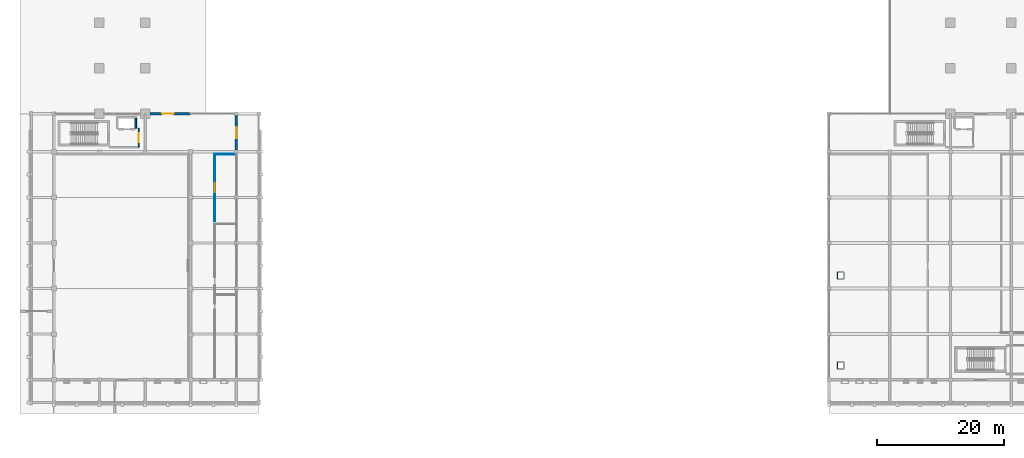
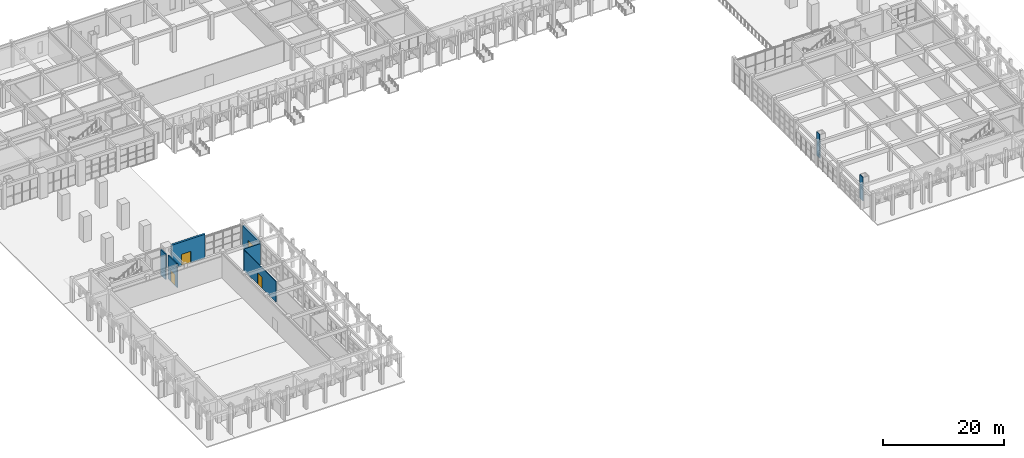
# One storey, part 36 of 72: 8 walls, 4 doors, 4 openings.
"""IFC4 building model written with IfcOpenShell, lengths in metres."""

from ifc_helpers import new_model, si_unit, direction, frame, frame_2d, origin, place, context, subcontext, project, spatial, rectangle, extrude, material, layer, layer_set, type_object, element, fill, save


model = new_model("IFC4")

# Units and contexts
model_context = context("Model", 3, precision=1e-05, world=origin(), true_north=direction((0.0, 1.0)))
body_context = subcontext(model_context, "Body", "Model", "MODEL_VIEW")
ifc_project = project(units=[si_unit("LENGTHUNIT", "METRE"), si_unit("AREAUNIT", "SQUARE_METRE"), si_unit("VOLUMEUNIT", "CUBIC_METRE"), si_unit("PLANEANGLEUNIT", "RADIAN"), si_unit("MASSUNIT", "GRAM", prefix="KILO")], contexts=[model_context])

# Site, building, storey
site_placement = place(None, origin())
site = spatial("IfcSite", under=ifc_project, at=site_placement, CompositionType="ELEMENT")
building_placement = place(site_placement, origin())
building = spatial("IfcBuilding", under=site, at=building_placement, Name="Nzembalo Square Collegiate School", CompositionType="ELEMENT")
storey_placement = place(building_placement, origin())
storey = spatial("IfcBuildingStorey", under=building, at=storey_placement, Name="L00", CompositionType="ELEMENT", Elevation=0.0)

# Wall
ifc_material_1 = material(Name="Concrete C35/45", Category="concrete")
ifc_layer_1 = layer(ifc_material_1, 0.25, Name="Concrete C35/45")
ifc_layer_set_1 = layer_set([ifc_layer_1], Name="Concrete C35/45")
wall_type_1 = type_object("IfcWallType", Name="SW05", PredefinedType="SHEAR", material=ifc_layer_set_1)
wall_1_placement = place(storey_placement, frame((21.324951171875, 48.10009765625, 0.0), z_axis=(0.0, 0.0, 1.0), x_axis=(0.0, 1.0, 0.0)))
element("IfcWall", 1, at=wall_1_placement, inside=storey, type_object=wall_type_1, Name="Lift LF1 shaft wall E L00", PredefinedType="SHEAR", context=body_context, shape_type="SweptSolid", body=[
    extrude(rectangle(XDim=1.599853515625, YDim=0.25, at=frame_2d((0.7998046875, 0.0))), origin(), (0.0, 0.0, 1.0), 5.10009765625),
])

# Wall, opening, door
ifc_material_2 = material(Name="Concrete C35/45", Category="concrete")
ifc_layer_2 = layer(ifc_material_2, 0.360107421875, Name="Concrete C35/45")
ifc_layer_set_2 = layer_set([ifc_layer_2], Name="Concrete C35/45")
wall_type_2 = type_object("IfcWallType", Name="W01", PredefinedType="SOLIDWALL", material=ifc_layer_set_2)
wall_2_placement = place(storey_placement, frame((23.552001953125, 50.39990234375, 0.0), z_axis=(0.0, 0.0, 1.0), x_axis=(1.0, 0.0, 0.0)))
wall_2 = element("IfcWall", 2, at=wall_2_placement, inside=storey, type_object=wall_type_2, Name="Exterior wall W01 L00", PredefinedType="SOLIDWALL", context=body_context, shape_type="SweptSolid", body=[
    extrude(rectangle(XDim=6.447998046875, YDim=0.360107421875, at=frame_2d((3.22412109375, 0.0))), origin(), (0.0, 0.0, 1.0), 4.7939453125),
])
opening_1_placement = place(wall_2_placement, frame((1.947998046875, 0.0, 0.0)))
opening_1 = element("IfcOpeningElement", 3, at=opening_1_placement, cuts=wall_2, Name="Opening E15", PredefinedType="OPENING", context=body_context, shape_type="SweptSolid", body=[
    extrude(rectangle(XDim=1.800048828125, YDim=2.300048828125, at=frame_2d((0.89990234375, 1.14990234375))), frame((0.0, 0.18994140625, 0.0), z_axis=(0.0, -1.0, 0.0), x_axis=(1.0, 0.0, 0.0)), (0.0, 0.0, 1.0), 0.380126953125),
])
ifc_material_3 = material(Name="Powder-coated steel and safety glass", Category="steel")
door_type_1 = type_object("IfcDoorType", Name="ED02", OperationType="DOUBLE_DOOR_SINGLE_SWING", PredefinedType="DOOR", material=ifc_material_3)
door_1_placement = place(opening_1_placement, origin())
door_1 = element("IfcDoor", 4, at=door_1_placement, inside=storey, type_object=door_type_1, Name="Exterior door E15", OperationType="DOUBLE_DOOR_SINGLE_SWING", OverallHeight=2.300048828125, OverallWidth=1.800048828125, PredefinedType="DOOR", context=body_context, shape_type="SweptSolid", body=[
    extrude(rectangle(XDim=1.800048828125, YDim=2.300048828125, at=frame_2d((0.89990234375, 1.14990234375))), frame((0.0, 0.02490234375, 0.0), z_axis=(0.0, -1.0, 0.0), x_axis=(1.0, 0.0, 0.0)), (0.0, 0.0, 1.0), 0.050048828125),
])
fill(opening_1, door_1)

ifc_material_4 = material(Name="Concrete C35/45", Category="concrete")
ifc_layer_3 = layer(ifc_material_4, 0.340087890625, Name="Concrete C35/45")
ifc_layer_set_3 = layer_set([ifc_layer_3], Name="Concrete C35/45")
wall_type_3 = type_object("IfcWallType", Name="W02", PredefinedType="SOLIDWALL", material=ifc_layer_set_3)
wall_3_placement = place(storey_placement, frame((37.199951171875, 44.701904296875, 0.0), z_axis=(0.0, 0.0, 1.0), x_axis=(0.0, 1.0, 0.0)))
wall_3 = element("IfcWall", 5, at=wall_3_placement, inside=storey, type_object=wall_type_3, Name="Exterior wall W02 L00", PredefinedType="SOLIDWALL", context=body_context, shape_type="SweptSolid", body=[
    extrude(rectangle(XDim=5.39599609375, YDim=0.340087890625, at=frame_2d((2.697998046875, 0.0))), origin(), (0.0, 0.0, 1.0), 4.134033203125),
])
opening_2_placement = place(wall_3_placement, frame((1.798095703125, 0.0, 0.0)))
opening_2 = element("IfcOpeningElement", 6, at=opening_2_placement, cuts=wall_3, Name="Opening E04", PredefinedType="OPENING", context=body_context, shape_type="SweptSolid", body=[
    extrude(rectangle(XDim=1.800048828125, YDim=2.300048828125, at=frame_2d((0.89990234375, 1.14990234375))), frame((0.0, 0.18017578125, 0.0), z_axis=(0.0, -1.0, 0.0), x_axis=(1.0, 0.0, 0.0)), (0.0, 0.0, 1.0), 0.360107421875),
])
door_2_placement = place(opening_2_placement, frame((1.800048828125, 0.0, 0.0), z_axis=(0.0, 0.0, 1.0), x_axis=(-1.0, 0.0, 0.0)))
door_2 = element("IfcDoor", 7, at=door_2_placement, inside=storey, type_object=door_type_1, Name="Exterior door E04", OperationType="DOUBLE_DOOR_SINGLE_SWING", OverallHeight=2.300048828125, OverallWidth=1.800048828125, PredefinedType="DOOR", context=body_context, shape_type="SweptSolid", body=[
    extrude(rectangle(XDim=1.800048828125, YDim=2.300048828125, at=frame_2d((0.89990234375, 1.14990234375))), frame((0.0, 0.02490234375, 0.0), z_axis=(0.0, -1.0, 0.0), x_axis=(1.0, 0.0, 0.0)), (0.0, 0.0, 1.0), 0.050048828125),
])
fill(opening_2, door_2)

ifc_material_5 = material(Name="Concrete blockwork C25/30", Category="masonry")
ifc_layer_4 = layer(ifc_material_5, 0.199951171875, Name="Concrete blockwork C25/30")
ifc_layer_set_4 = layer_set([ifc_layer_4], Name="Concrete blockwork C25/30")
wall_type_4 = type_object("IfcWallType", Name="W11", PredefinedType="PARTITIONING", material=ifc_layer_set_4)
wall_4_placement = place(storey_placement, frame((21.800048828125, 45.10009765625, 0.0), z_axis=(0.0, 0.0, 1.0), x_axis=(0.0, 1.0, 0.0)))
wall_4 = element("IfcWall", 8, at=wall_4_placement, inside=storey, type_object=wall_type_4, Name="Core C1 EI 60 lobby wall E L00", PredefinedType="PARTITIONING", context=body_context, shape_type="SweptSolid", body=[
    extrude(rectangle(XDim=3.0, YDim=0.199951171875, at=frame_2d((1.5, 0.0))), origin(), (0.0, 0.0, 1.0), 4.77392578125),
])
opening_3_placement = place(wall_4_placement, frame((0.77490234375, 0.0, 0.0)))
opening_3 = element("IfcOpeningElement", 9, at=opening_3_placement, cuts=wall_4, Name="Opening FD-004", PredefinedType="OPENING", context=body_context, shape_type="SweptSolid", body=[
    extrude(rectangle(XDim=1.449951171875, YDim=2.199951171875, at=frame_2d((0.72509765625, 1.10009765625))), frame((0.0, 0.10986328125, 0.0), z_axis=(0.0, -1.0, 0.0), x_axis=(1.0, 0.0, 0.0)), (0.0, 0.0, 1.0), 0.219970703125),
])
ifc_material_6 = material(Name="Fire-rated double lobby door")
door_type_2 = type_object("IfcDoorType", Name="FD02", OperationType="DOUBLE_DOOR_SINGLE_SWING", PredefinedType="DOOR", material=ifc_material_6)
door_3_placement = place(opening_3_placement, frame((1.449951171875, 0.0, 0.0), z_axis=(0.0, 0.0, 1.0), x_axis=(-1.0, 0.0, 0.0)))
door_3 = element("IfcDoor", 10, at=door_3_placement, inside=storey, type_object=door_type_2, Name="Protected lobby fire door FD-004", OperationType="DOUBLE_DOOR_SINGLE_SWING", OverallHeight=2.199951171875, OverallWidth=1.449951171875, PredefinedType="DOOR", context=body_context, shape_type="SweptSolid", body=[
    extrude(rectangle(XDim=1.449951171875, YDim=2.199951171875, at=frame_2d((0.72509765625, 1.10009765625))), frame((0.0, 0.02490234375, 0.0), z_axis=(0.0, -1.0, 0.0), x_axis=(1.0, 0.0, 0.0)), (0.0, 0.0, 1.0), 0.050048828125),
])
fill(opening_3, door_3)

# Wall
ifc_material_7 = material(Name="Gypsum plasterboard stud")
ifc_layer_5 = layer(ifc_material_7, 0.1298828125, Name="Gypsum plasterboard stud")
ifc_layer_set_5 = layer_set([ifc_layer_5], Name="Gypsum plasterboard stud")
wall_type_5 = type_object("IfcWallType", Name="W20", PredefinedType="PARTITIONING", material=ifc_layer_set_5)
wall_5_placement = place(storey_placement, frame((33.735107421875, 44.0, 0.0), z_axis=(0.0, 0.0, 1.0), x_axis=(1.0, 0.0, 0.0)))
element("IfcWall", 11, at=wall_5_placement, inside=storey, type_object=wall_type_5, Name="Interior partition W20 L00-022-N", PredefinedType="PARTITIONING", context=body_context, shape_type="SweptSolid", body=[
    extrude(rectangle(XDim=3.1298828125, YDim=0.1298828125, at=frame_2d((1.56494140625, 0.0))), origin(), (0.0, 0.0, 1.0), 4.283935546875),
])

# Wall, opening, door
wall_6_placement = place(storey_placement, frame((33.800048828125, 33.39990234375, 0.0), z_axis=(0.0, 0.0, 1.0), x_axis=(0.0, 1.0, 0.0)))
wall_6 = element("IfcWall", 12, at=wall_6_placement, inside=storey, type_object=wall_type_5, Name="Interior partition W20 L00-022-W", PredefinedType="PARTITIONING", context=body_context, shape_type="SweptSolid", body=[
    extrude(rectangle(XDim=10.60009765625, YDim=0.1298828125, at=frame_2d((5.300048828125, 0.0))), origin(), (0.0, 0.0, 1.0), 4.134033203125),
])
opening_4_placement = place(wall_6_placement, frame((4.610107421875, 0.0, 0.0)))
opening_4 = element("IfcOpeningElement", 13, at=opening_4_placement, cuts=wall_6, Name="Opening D-L00-010", PredefinedType="OPENING", context=body_context, shape_type="SweptSolid", body=[
    extrude(rectangle(XDim=1.3798828125, YDim=2.280029296875, at=frame_2d((0.68994140625, 1.14013671875))), frame((0.0, 0.074951171875, 0.0), z_axis=(0.0, -1.0, 0.0), x_axis=(1.0, 0.0, 0.0)), (0.0, 0.0, 1.0), 0.14990234375),
])
ifc_material_8 = material(Name="Wide art studio double door")
door_type_3 = type_object("IfcDoorType", Name="D21", OperationType="DOUBLE_DOOR_SINGLE_SWING", PredefinedType="DOOR", material=ifc_material_8)
door_4_placement = place(opening_4_placement, origin())
door_4 = element("IfcDoor", 14, at=door_4_placement, inside=storey, type_object=door_type_3, Name="Interior door D-L00-010 (Girls' PE Changing and Shower Suite)", OperationType="DOUBLE_DOOR_SINGLE_SWING", OverallHeight=2.280029296875, OverallWidth=1.3798828125, PredefinedType="DOOR", context=body_context, shape_type="SweptSolid", body=[
    extrude(rectangle(XDim=1.3798828125, YDim=2.280029296875, at=frame_2d((0.68994140625, 1.14013671875))), frame((0.0, 0.02490234375, 0.0), z_axis=(0.0, -1.0, 0.0), x_axis=(1.0, 0.0, 0.0)), (0.0, 0.0, 1.0), 0.050048828125),
])
fill(opening_4, door_4)

# Walls
ifc_material_9 = material(Name="Fire-rated shaftwall stud")
ifc_layer_6 = layer(ifc_material_9, 0.1201171875, Name="Fire-rated shaftwall stud")
ifc_layer_set_6 = layer_set([ifc_layer_6], Name="Fire-rated shaftwall stud")
wall_type_6 = type_object("IfcWallType", Name="W23", PredefinedType="PARTITIONING", material=ifc_layer_set_6)
for number, where, z_axis, x_axis, name in (
    (15, (132.139892578125, 11.159912109375, 0.0), (0.0, 0.0, 1.0), (0.0, -1.0, 0.0), "Service riser shaftwall W23-008-4"),
    (16, (132.139892578125, 25.360107421875, 0.0), (0.0, 0.0, 1.0), (0.0, -1.0, 0.0), "Service riser shaftwall W23-009-4"),
):
    element("IfcWall", number, at=place(storey_placement, frame(where, z_axis=z_axis, x_axis=x_axis)), inside=storey, type_object=wall_type_6, Name=name, PredefinedType="PARTITIONING", context=body_context, shape_type="SweptSolid", body=[
        extrude(rectangle(XDim=1.02001953125, YDim=0.1201171875, at=frame_2d((0.510009765625, 0.0))), origin(), (0.0, 0.0, 1.0), 4.77392578125),
    ])

save(model, "model.ifc")
